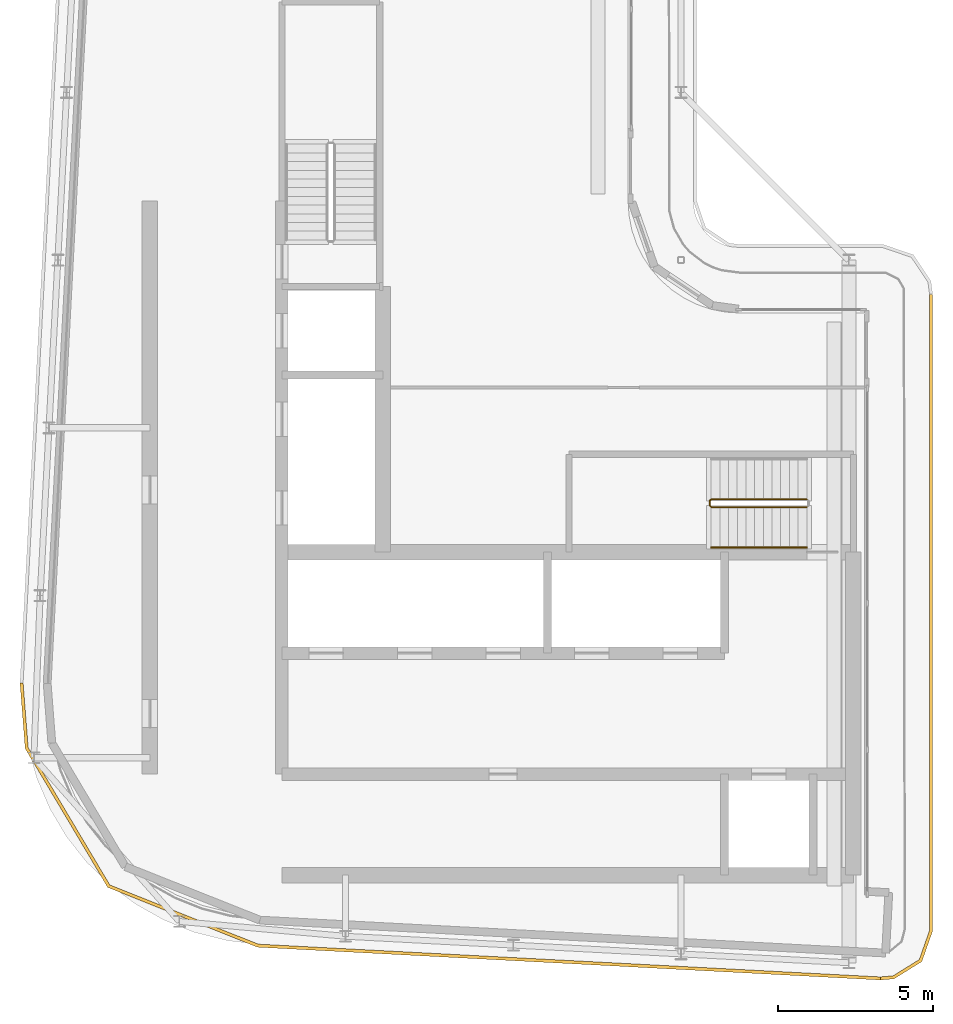
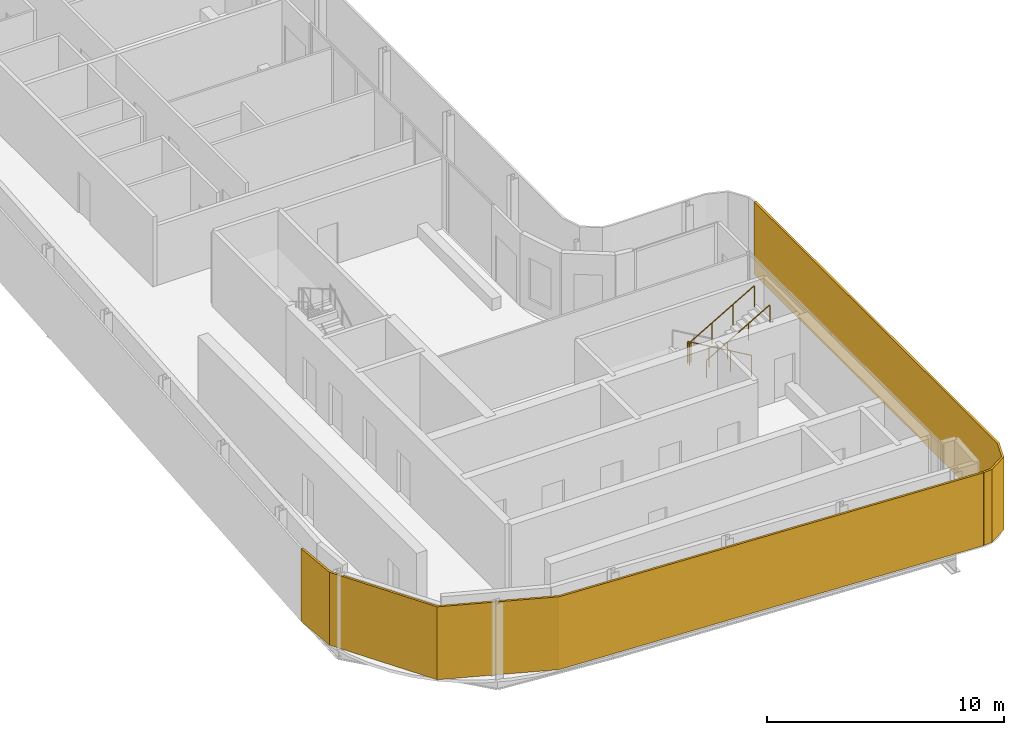
# One storey, part 13 of 18: 2 railings, 2 shading devices.
"""IFC4 building model written with IfcOpenShell, lengths in metres."""

from ifc_helpers import new_model, si_unit, direction, frame, origin, origin_2d, place, context, subcontext, project, spatial, polyline, circle, outline, extrude, material, layer, layer_set, type_object, element, save


model = new_model("IFC4")

# Units and contexts
model_context = context("Model", 3, precision=1e-05, world=origin(), true_north=direction((0.0, 1.0)))
body_context = subcontext(model_context, "Body", "Model", "MODEL_VIEW")
ifc_project = project(units=[si_unit("LENGTHUNIT", "METRE"), si_unit("AREAUNIT", "SQUARE_METRE"), si_unit("VOLUMEUNIT", "CUBIC_METRE"), si_unit("PLANEANGLEUNIT", "RADIAN"), si_unit("MASSUNIT", "GRAM", prefix="KILO")], contexts=[model_context])

# Site, building, storey
site_placement = place(None, origin())
site = spatial("IfcSite", under=ifc_project, at=site_placement, CompositionType="ELEMENT")
building_placement = place(site_placement, origin())
building = spatial("IfcBuilding", under=site, at=building_placement, Name="Kheshtan School and Residences Tower", CompositionType="ELEMENT")
storey_placement = place(building_placement, frame((0.0, 0.0, 373.39990234375)))
storey = spatial("IfcBuildingStorey", under=building, at=storey_placement, Name="L88", CompositionType="ELEMENT", Elevation=373.39990234375)

# Shading devices
ifc_material_1 = material(Name="Terracotta baguette, extruded ceramic", Category="masonry")
ifc_layer_1 = layer(ifc_material_1, 0.10009765625)
ifc_layer_set_1 = layer_set([ifc_layer_1], Name="Ledge screen, terracotta baguettes")
shading_device_type_1 = type_object("IfcShadingDeviceType", Name="Ledge screen, terracotta baguettes", PredefinedType="USERDEFINED", material=ifc_layer_set_1)
shading_device_1_placement = place(storey_placement, origin())
element("IfcShadingDevice", 1, at=shading_device_1_placement, inside=storey, type_object=shading_device_type_1, Name="Screen L88 3", ObjectType="BAGUETTE", PredefinedType="USERDEFINED", context=body_context, shape_type="SweptSolid", body=[
    extrude(outline(polyline([(54.02099609375, 22.52490234375), (33.989013671875, 23.580078125), (29.2119140625, 25.486083984375), (26.583984375, 29.906982421875), (26.419921875, 31.989013671875), (26.320068359375, 31.98095703125), (26.486083984375, 29.8759765625), (29.14306640625, 25.406005859375), (33.967041015625, 23.48095703125), (54.01611328125, 22.425048828125), (54.02099609375, 22.52490234375)])), origin(), (0.0, 0.0, 1.0), 3.75),
])
ifc_material_2 = material(Name="Terracotta lattice, extruded ceramic", Category="masonry")
ifc_layer_2 = layer(ifc_material_2, 0.10009765625)
ifc_layer_set_2 = layer_set([ifc_layer_2], Name="Loggia screen, terracotta lattice")
shading_device_type_2 = type_object("IfcShadingDeviceType", Name="Loggia screen, terracotta lattice", PredefinedType="USERDEFINED", material=ifc_layer_set_2)
shading_device_2_placement = place(storey_placement, origin())
element("IfcShadingDevice", 2, at=shading_device_2_placement, inside=storey, type_object=shading_device_type_2, Name="Screen L88 2", ObjectType="SCREEN", PredefinedType="USERDEFINED", context=body_context, shape_type="SweptSolid", body=[
    extrude(outline(polyline([(55.60009765625, 44.5), (55.60009765625, 24.02294921875), (55.27001953125, 23.083984375), (54.424072265625, 22.55908203125), (54.02099609375, 22.52490234375), (54.029052734375, 22.425048828125), (54.4560546875, 22.4609375), (55.35302734375, 23.01806640625), (55.699951171875, 24.006103515625), (55.699951171875, 44.5), (55.60009765625, 44.5)])), origin(), (0.0, 0.0, 1.0), 3.75),
])

# Railings
ifc_material_3 = material(Name="Stainless steel balustrade", Category="steel")
railing_type_1 = type_object("IfcRailingType", Name="Stair guard 1100", PredefinedType="GUARDRAIL", material=ifc_material_3)
railing_1_placement = place(storey_placement, frame((51.64990234375, 37.89990234375, 0.16259765625)))
element("IfcRailing", 3, at=railing_1_placement, inside=storey, type_object=railing_type_1, Name="L88 ST1 stair guard 1", PredefinedType="GUARDRAIL", context=body_context, shape_type="SweptSolid", body=[
    extrude(circle(Radius=0.02392578125, at=origin_2d()), frame((0.0, 0.0, 1.076171875), z_axis=(-0.864873446163, 0.0, 0.501989962173), x_axis=(0.0, -1.0, 0.0)), (0.0, 0.0, 1.0), 3.56103515625),
    extrude(circle(Radius=0.02392578125, at=origin_2d()), frame((-3.079833984375, 0.0, 2.86376953125), z_axis=(-0.708833529934, -0.705375805398, 0.0), x_axis=(0.705375805398, -0.708833529934, 0.0)), (0.0, 0.0, 1.0), 0.070556640625),
    extrude(circle(Radius=0.02392578125, at=origin_2d()), frame((-3.1298828125, -0.0498046875, 2.86376953125), z_axis=(0.0, -1.0, 0.0), x_axis=(1.0, 0.0, 0.0)), (0.0, 0.0, 1.0), 0.150146484375),
    extrude(circle(Radius=0.02392578125, at=origin_2d()), frame((-3.1298828125, -0.199951171875, 2.86376953125), z_axis=(0.282583949758, -0.282583949758, 0.916674763849), x_axis=(0.707106781187, 0.707106781187, 0.0)), (0.0, 0.0, 1.0), 0.177001953125),
    extrude(circle(Radius=0.02392578125, at=origin_2d()), frame((-3.079833984375, -0.25, 3.02587890625), z_axis=(0.864873446163, 0.0, 0.501989962173), x_axis=(0.0, 1.0, 0.0)), (0.0, 0.0, 1.0), 3.56103515625),
    extrude(circle(Radius=0.02099609375, at=origin_2d()), origin(), (0.0, 0.0, 1.0), 1.052001953125),
    extrude(circle(Radius=0.02099609375, at=origin_2d()), frame((-1.026611328125, 0.0, 0.595947265625)), (0.0, 0.0, 1.0), 1.052001953125),
    extrude(circle(Radius=0.02099609375, at=origin_2d()), frame((-2.05322265625, 0.0, 1.191650390625)), (0.0, 0.0, 1.0), 1.052001953125),
    extrude(circle(Radius=0.02099609375, at=origin_2d()), frame((-3.079833984375, 0.0, 1.78759765625)), (0.0, 0.0, 1.0), 1.052001953125),
    extrude(circle(Radius=0.02099609375, at=origin_2d()), frame((-3.1298828125, -0.0498046875, 1.78759765625)), (0.0, 0.0, 1.0), 1.052001953125),
    extrude(circle(Radius=0.02099609375, at=origin_2d()), frame((-3.1298828125, -0.199951171875, 1.78759765625)), (0.0, 0.0, 1.0), 1.052001953125),
    extrude(circle(Radius=0.02099609375, at=origin_2d()), frame((-3.079833984375, -0.25, 1.949951171875)), (0.0, 0.0, 1.0), 1.052001953125),
    extrude(circle(Radius=0.02099609375, at=origin_2d()), frame((-2.05322265625, -0.25, 2.5458984375)), (0.0, 0.0, 1.0), 1.052001953125),
    extrude(circle(Radius=0.02099609375, at=origin_2d()), frame((-1.026611328125, -0.25, 3.1416015625)), (0.0, 0.0, 1.0), 1.052001953125),
    extrude(circle(Radius=0.02099609375, at=origin_2d()), frame((0.0, -0.25, 3.737548828125)), (0.0, 0.0, 1.0), 1.052001953125),
])
ifc_material_4 = material(Name="Stainless steel handrail", Category="steel")
railing_type_2 = type_object("IfcRailingType", Name="Stair handrail 900", PredefinedType="HANDRAIL", material=ifc_material_4)
railing_2_placement = place(storey_placement, frame((48.570068359375, 36.35009765625, 2.112548828125)))
element("IfcRailing", 4, at=railing_2_placement, inside=storey, type_object=railing_type_2, Name="L88 ST1 stair handrail 2", PredefinedType="HANDRAIL", context=body_context, shape_type="SweptSolid", body=[
    extrude(circle(Radius=0.02392578125, at=origin_2d()), frame((0.0, 0.0, 0.8759765625), z_axis=(0.864873446163, 0.0, 0.501989962173), x_axis=(0.0, 1.0, 0.0)), (0.0, 0.0, 1.0), 3.56103515625),
    extrude(circle(Radius=0.02099609375, at=origin_2d()), origin(), (0.0, 0.0, 1.0), 0.851806640625),
    extrude(circle(Radius=0.02099609375, at=origin_2d()), frame((1.026611328125, 0.0, 0.595947265625)), (0.0, 0.0, 1.0), 0.851806640625),
    extrude(circle(Radius=0.02099609375, at=origin_2d()), frame((2.05322265625, 0.0, 1.191650390625)), (0.0, 0.0, 1.0), 0.851806640625),
    extrude(circle(Radius=0.02099609375, at=origin_2d()), frame((3.079833984375, 0.0, 1.78759765625)), (0.0, 0.0, 1.0), 0.851806640625),
])

save(model, "model.ifc")
